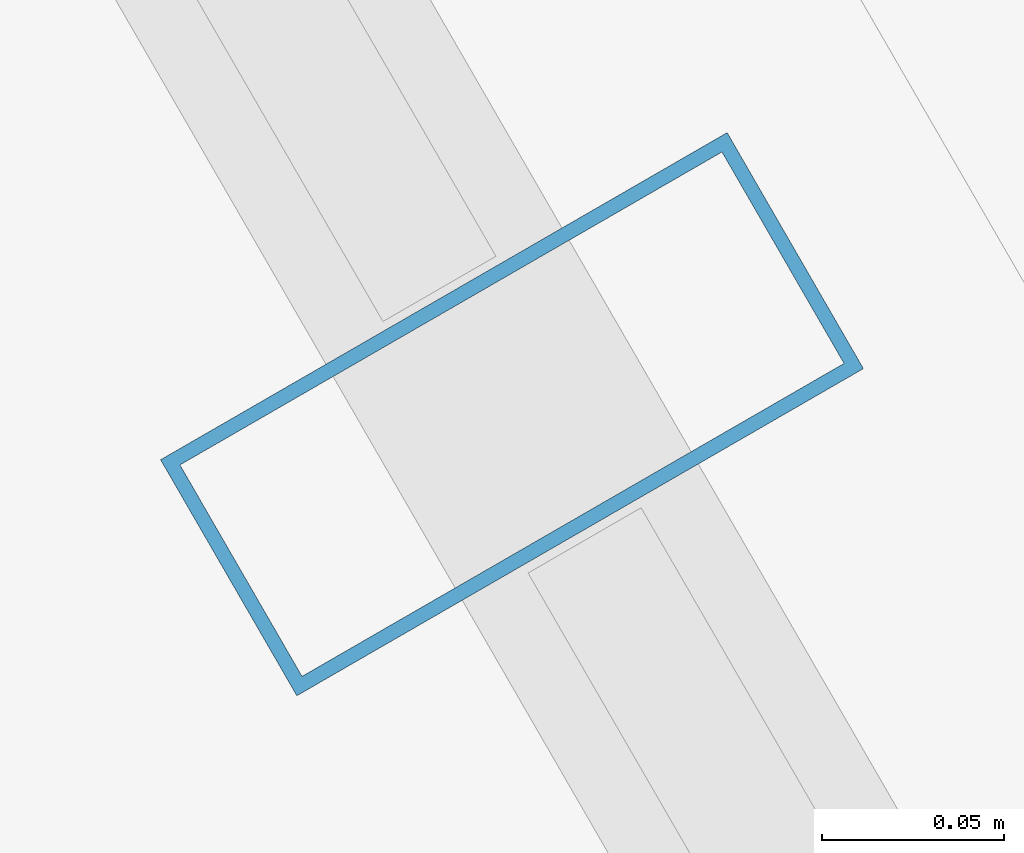
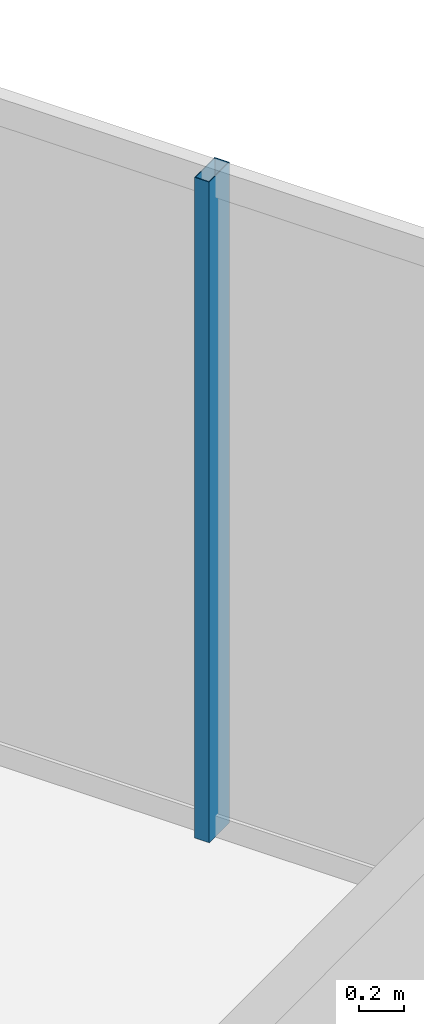
# One storey, part 24 of 32: 1 member, 1 element without a shape of its own.
"""IFC4 building model written with IfcOpenShell, lengths in metres."""

from ifc_helpers import new_model, si_unit, direction, frame, origin, origin_2d, place, context, subcontext, project, spatial, hollow_rectangle, extrude, material, layer, layer_set, material_profile, profile_set, type_object, element, aggregate, save


model = new_model("IFC4")

# Units and contexts
model_context = context("Model", 3, precision=1e-05, world=origin(), true_north=direction((0.0, 1.0)))
body_context = subcontext(model_context, "Body", "Model", "MODEL_VIEW")
ifc_project = project(units=[si_unit("LENGTHUNIT", "METRE"), si_unit("AREAUNIT", "SQUARE_METRE"), si_unit("VOLUMEUNIT", "CUBIC_METRE"), si_unit("PLANEANGLEUNIT", "RADIAN"), si_unit("MASSUNIT", "GRAM", prefix="KILO")], contexts=[model_context])

# Site, building, storey
site_placement = place(None, origin())
site = spatial("IfcSite", under=ifc_project, at=site_placement, CompositionType="ELEMENT")
building_placement = place(site_placement, origin())
building = spatial("IfcBuilding", under=site, at=building_placement, Name="Ndaravel Arena Tower", CompositionType="ELEMENT")
storey_placement = place(building_placement, frame((0.0, 0.0, 283.300048828125)))
storey = spatial("IfcBuildingStorey", under=building, at=storey_placement, Name="L69", CompositionType="ELEMENT", Elevation=283.300048828125)

# Curtain wall, member
ifc_material_1 = material(Name="Aluminium", Category="aluminium")
ifc_layer = layer(ifc_material_1, 0.179931640625)
ifc_layer_set = layer_set([ifc_layer], Name="Aluminium")
curtain_wall_type = type_object("IfcCurtainWallType", Name="CW-SYS-03", PredefinedType="NOTDEFINED", material=ifc_layer_set)
curtain_wall_placement = place(storey_placement, origin())
curtain_wall = element("IfcCurtainWall", 1, at=curtain_wall_placement, inside=storey, type_object=curtain_wall_type, Name="L69 Faceted Crystal Curtain Wall CW-L69-E03", PredefinedType="NOTDEFINED")
ifc_material_2 = material(Name="Aluminium", Category="aluminium")
ifc_material_profile = material_profile(ifc_material_2, hollow_rectangle(XDim=0.074951171875, YDim=0.179931640625, WallThickness=0.00390625, at=origin_2d()), Name="CW MULLION 75x180x4")
ifc_profile_set = profile_set([ifc_material_profile], Name="Aluminium")
member_type = type_object("IfcMemberType", Name="MEM-CW-MUL180", PredefinedType="MULLION", material=ifc_profile_set)
member_placement = place(storey_placement, frame((53.1767578125, 28.374755859375, 0.0), z_axis=(0.0, 0.0, 1.0), x_axis=(-0.5, 0.866025403784, 0.0)))
member = element("IfcMember", 2, at=member_placement, type_object=member_type, Name="CW-L69-E03 Mullion 05", PredefinedType="MULLION", context=body_context, shape_type="SweptSolid", body=[
    extrude(hollow_rectangle(XDim=0.074951171875, YDim=0.179931640625, WallThickness=0.00390625, at=origin_2d()), origin(), (0.0, 0.0, 1.0), 3.579833984375),
])
aggregate(curtain_wall, [member])

save(model, "model.ifc")
